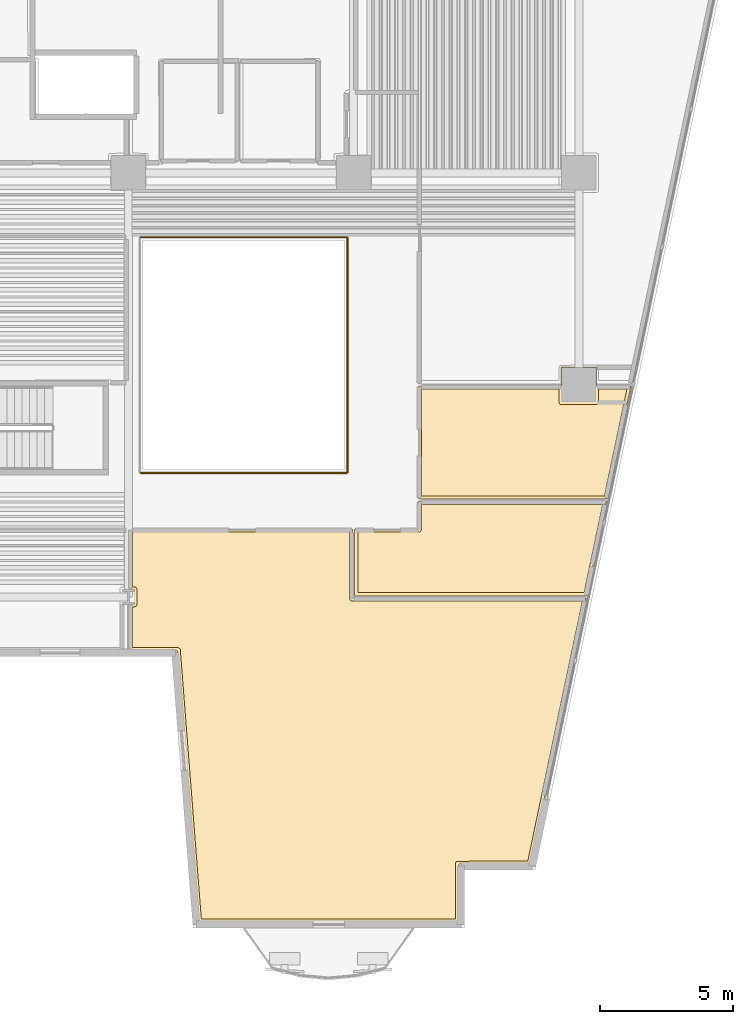
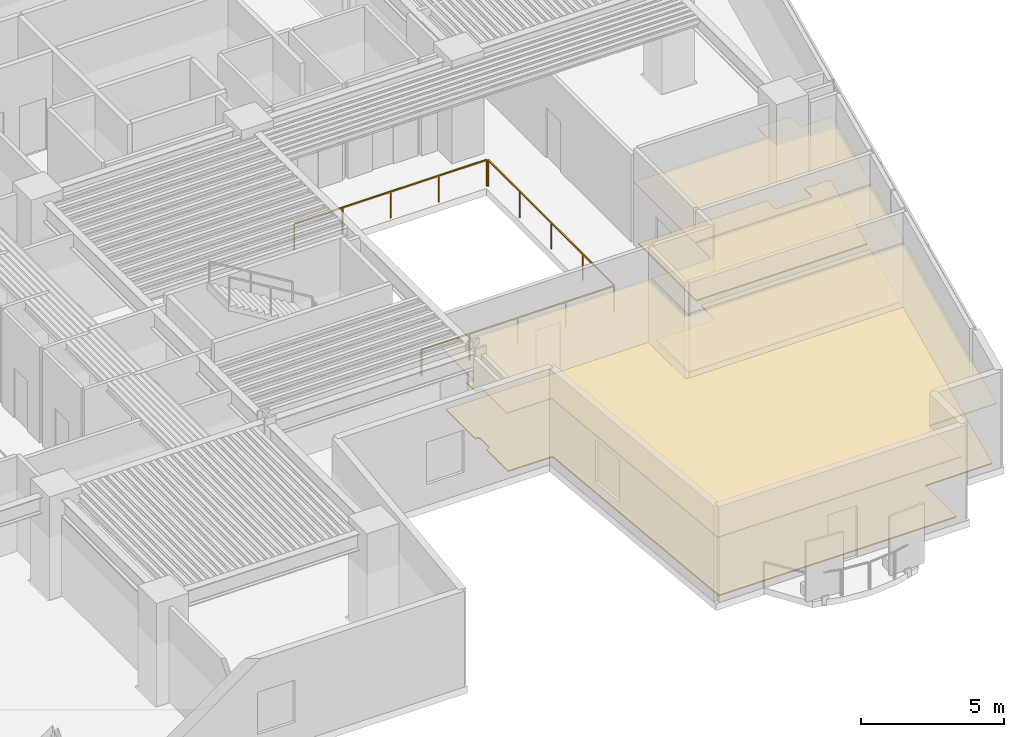
# One storey, part 10 of 12: 6 coverings, 3 railings.
"""IFC4 building model written with IfcOpenShell, lengths in metres."""

from ifc_helpers import new_model, si_unit, direction, frame, origin, origin_2d, place, context, subcontext, project, spatial, polyline, rectangle, outline, extrude, material, layer, layer_set, type_object, element, save


model = new_model("IFC4")

# Units and contexts
model_context = context("Model", 3, precision=1e-05, world=origin(), true_north=direction((0.0, 1.0)))
body_context = subcontext(model_context, "Body", "Model", "MODEL_VIEW")
ifc_project = project(units=[si_unit("LENGTHUNIT", "METRE"), si_unit("AREAUNIT", "SQUARE_METRE"), si_unit("VOLUMEUNIT", "CUBIC_METRE"), si_unit("PLANEANGLEUNIT", "RADIAN"), si_unit("MASSUNIT", "GRAM", prefix="KILO")], contexts=[model_context])

# Site, building, storey
site_placement = place(None, origin())
site = spatial("IfcSite", under=ifc_project, at=site_placement, CompositionType="ELEMENT")
building_placement = place(site_placement, origin())
building = spatial("IfcBuilding", under=site, at=building_placement, Name="Caeloran Harvest Quay", CompositionType="ELEMENT")
storey_placement = place(building_placement, frame((0.0, 0.0, 31.39990234375)))
storey = spatial("IfcBuildingStorey", under=building, at=storey_placement, Name="L07", CompositionType="ELEMENT", Elevation=31.39990234375)

# Coverings
ifc_material_1 = material(Name="Perforated Mineral-Fibre Acoustic Ceiling Tile", Category="ceiling")
ifc_layer_1 = layer(ifc_material_1, 0.0400390625, Name="Perforated Mineral-Fibre Acoustic Ceiling Tile")
ifc_layer_set_1 = layer_set([ifc_layer_1], Name="Perforated Mineral-Fibre Acoustic Ceiling Tile")
covering_type_1 = type_object("IfcCoveringType", Name="COV-CEILING-ACOUSTIC", PredefinedType="CEILING", material=ifc_layer_set_1)
covering_1_placement = place(storey_placement, frame((0.0, 0.0, 2.60009765625)))
element("IfcCovering", 1, at=covering_1_placement, inside=storey, type_object=covering_type_1, Name="Leafy-Greens Hydroponic Growing Hall Acoustic Ceiling", PredefinedType="CEILING", context=body_context, shape_type="SweptSolid", body=[
    extrude(outline(polyline([(34.0400390625, 14.695556640625), (33.7529296875, 14.695556640625), (33.7529296875, 15.304443359375), (34.0400390625, 15.304443359375), (34.0400390625, 17.56005859375), (42.4599609375, 17.56005859375), (42.4599609375, 14.9599609375), (51.27978515625, 14.9599609375), (49.170654296875, 4.919921875), (46.467041015625, 4.919921875), (46.467041015625, 2.719970703125), (36.64404296875, 2.719970703125), (35.843994140625, 12.969970703125), (34.0400390625, 12.969970703125), (34.0400390625, 14.695556640625)])), origin(), (0.0, 0.0, 1.0), 0.0400390625),
])
covering_2_placement = place(storey_placement, frame((0.0, 0.0, 2.60009765625)))
element("IfcCovering", 2, at=covering_2_placement, inside=storey, type_object=covering_type_1, Name="Nutrient QA Laboratory Acoustic Ceiling", PredefinedType="CEILING", context=body_context, shape_type="SweptSolid", body=[
    extrude(outline(polyline([(44.93994140625, 17.56005859375), (44.93994140625, 18.610107421875), (52.04638671875, 18.610107421875), (51.29638671875, 15.0400390625), (42.5400390625, 15.0400390625), (42.5400390625, 17.56005859375), (44.93994140625, 17.56005859375)])), origin(), (0.0, 0.0, 1.0), 0.0400390625),
])
covering_3_placement = place(storey_placement, frame((0.0, 0.0, 2.60009765625)))
element("IfcCovering", 3, at=covering_3_placement, inside=storey, type_object=covering_type_1, Name="Harvest Cold Buffer Laboratory Acoustic Ceiling", PredefinedType="CEILING", context=body_context, shape_type="SweptSolid", body=[
    extrude(outline(polyline([(44.93994140625, 22.9599609375), (50.330078125, 22.9599609375), (50.330078125, 23.669921875), (51.669921875, 23.669921875), (51.669921875, 22.9599609375), (52.960205078125, 22.9599609375), (52.063232421875, 18.68994140625), (44.93994140625, 18.68994140625), (44.93994140625, 22.9599609375)])), origin(), (0.0, 0.0, 1.0), 0.0400390625),
])
ifc_material_2 = material(Name="Calcium-Sulphate Raised Access Floor and Terrazzo Finish", Category="flooring")
ifc_layer_2 = layer(ifc_material_2, 0.050048828125, Name="Calcium-Sulphate Raised Access Floor and Terrazzo Finish")
ifc_layer_set_2 = layer_set([ifc_layer_2], Name="Calcium-Sulphate Raised Access Floor and Terrazzo Finish")
covering_type_2 = type_object("IfcCoveringType", Name="COV-FLOOR-RAISED", PredefinedType="FLOORING", material=ifc_layer_set_2)
covering_4_placement = place(storey_placement, origin())
element("IfcCovering", 4, at=covering_4_placement, inside=storey, type_object=covering_type_2, Name="Leafy-Greens Hydroponic Growing Hall Raised Finish Flooring", PredefinedType="FLOORING", context=body_context, shape_type="SweptSolid", body=[
    extrude(outline(polyline([(34.159912109375, 13.090087890625), (34.159912109375, 14.62060546875), (34.27978515625, 14.6298828125), (34.322021484375, 14.700439453125), (34.320556640625, 15.315185546875), (34.272705078125, 15.373291015625), (34.159912109375, 15.37939453125), (34.159912109375, 17.43994140625), (42.340087890625, 17.43994140625), (42.340087890625, 14.919921875), (42.404296875, 14.841552734375), (51.1318359375, 14.840087890625), (49.0732421875, 5.0400390625), (46.376220703125, 5.021728515625), (46.346923828125, 4.9599609375), (46.346923828125, 2.840087890625), (36.7548828125, 2.840087890625), (35.9580078125, 13.031982421875), (35.881103515625, 13.090087890625), (34.159912109375, 13.090087890625)])), origin(), (0.0, 0.0, 1.0), 0.050048828125),
])
covering_5_placement = place(storey_placement, origin())
element("IfcCovering", 5, at=covering_5_placement, inside=storey, type_object=covering_type_2, Name="Nutrient QA Laboratory Raised Finish Flooring", PredefinedType="FLOORING", context=body_context, shape_type="SweptSolid", body=[
    extrude(outline(polyline([(44.97802734375, 17.443603515625), (45.037353515625, 17.4833984375), (45.059814453125, 17.543212890625), (45.06005859375, 18.489990234375), (51.898681640625, 18.489990234375), (51.19921875, 15.159912109375), (42.659912109375, 15.159912109375), (42.659912109375, 17.43994140625), (44.97802734375, 17.443603515625)])), origin(), (0.0, 0.0, 1.0), 0.050048828125),
])
covering_6_placement = place(storey_placement, origin())
element("IfcCovering", 6, at=covering_6_placement, inside=storey, type_object=covering_type_2, Name="Harvest Cold Buffer Laboratory Raised Finish Flooring", PredefinedType="FLOORING", context=body_context, shape_type="SweptSolid", body=[
    extrude(outline(polyline([(45.06005859375, 18.81005859375), (45.06005859375, 22.840087890625), (50.2548828125, 22.840087890625), (50.25537109375, 22.3271484375), (50.2841796875, 22.273193359375), (50.3349609375, 22.2548828125), (51.6806640625, 22.256591796875), (51.74462890625, 22.3271484375), (51.7451171875, 22.840087890625), (52.8125, 22.840087890625), (51.9658203125, 18.81005859375), (45.06005859375, 18.81005859375)])), origin(), (0.0, 0.0, 1.0), 0.050048828125),
])

# Railings
ifc_material_3 = material(Name="Powder-Coated Steel Post and Laminated Glass Guardrail", Category="steel")
ifc_layer_3 = layer(ifc_material_3, 0.06005859375, Name="Powder-Coated Steel Post and Laminated Glass Guardrail")
ifc_layer_set_3 = layer_set([ifc_layer_3], Name="Powder-Coated Steel Post and Laminated Glass Guardrail")
railing_type = type_object("IfcRailingType", Name="GUARD-ATRIUM-1150", PredefinedType="GUARDRAIL", material=ifc_layer_set_3)
railing_1_placement = place(storey_placement, frame((34.4619140625, 19.679931640625, 0.0)))
element("IfcRailing", 7, at=railing_1_placement, inside=storey, type_object=railing_type, Name="L07 East Botanical Lightwell Guardrail Seg 1", PredefinedType="GUARDRAIL", context=body_context, shape_type="SweptSolid", body=[
    extrude(rectangle(XDim=0.048095703125, YDim=0.048095703125, at=origin_2d()), frame((0.0, 0.0, 1.1259765625), z_axis=(1.0, 0.0, 0.0), x_axis=(0.0, 1.0, 0.0)), (0.0, 0.0, 1.0), 7.776123046875),
    extrude(rectangle(XDim=0.0419921875, YDim=0.0419921875, at=origin_2d()), origin(), (0.0, 0.0, 1.0), 1.101806640625),
    extrude(rectangle(XDim=0.0419921875, YDim=0.0419921875, at=origin_2d()), frame((1.944091796875, 0.0, 0.0)), (0.0, 0.0, 1.0), 1.101806640625),
    extrude(rectangle(XDim=0.0419921875, YDim=0.0419921875, at=origin_2d()), frame((3.88818359375, 0.0, 0.0)), (0.0, 0.0, 1.0), 1.101806640625),
    extrude(rectangle(XDim=0.0419921875, YDim=0.0419921875, at=origin_2d()), frame((5.83203125, 0.0, 0.0)), (0.0, 0.0, 1.0), 1.101806640625),
    extrude(rectangle(XDim=0.0419921875, YDim=0.0419921875, at=origin_2d()), frame((7.776123046875, 0.0, 0.0)), (0.0, 0.0, 1.0), 1.101806640625),
])
railing_2_placement = place(storey_placement, frame((42.27001953125, 19.7119140625, 0.0)))
element("IfcRailing", 8, at=railing_2_placement, inside=storey, type_object=railing_type, Name="L07 East Botanical Lightwell Guardrail Seg 2", PredefinedType="GUARDRAIL", context=body_context, shape_type="SweptSolid", body=[
    extrude(rectangle(XDim=0.048095703125, YDim=0.048095703125, at=origin_2d()), frame((0.0, 0.0, 1.1259765625), z_axis=(0.0, 1.0, 0.0), x_axis=(-1.0, 0.0, 0.0)), (0.0, 0.0, 1.0), 8.826171875),
    extrude(rectangle(XDim=0.0419921875, YDim=0.0419921875, at=origin_2d()), origin(), (0.0, 0.0, 1.0), 1.101806640625),
    extrude(rectangle(XDim=0.0419921875, YDim=0.0419921875, at=origin_2d()), frame((0.0, 2.20654296875, 0.0)), (0.0, 0.0, 1.0), 1.101806640625),
    extrude(rectangle(XDim=0.0419921875, YDim=0.0419921875, at=origin_2d()), frame((0.0, 4.4130859375, 0.0)), (0.0, 0.0, 1.0), 1.101806640625),
    extrude(rectangle(XDim=0.0419921875, YDim=0.0419921875, at=origin_2d()), frame((0.0, 6.61962890625, 0.0)), (0.0, 0.0, 1.0), 1.101806640625),
    extrude(rectangle(XDim=0.0419921875, YDim=0.0419921875, at=origin_2d()), frame((0.0, 8.826171875, 0.0)), (0.0, 0.0, 1.0), 1.101806640625),
])
railing_3_placement = place(storey_placement, frame((42.238037109375, 28.570068359375, 0.0)))
element("IfcRailing", 9, at=railing_3_placement, inside=storey, type_object=railing_type, Name="L07 East Botanical Lightwell Guardrail Seg 3", PredefinedType="GUARDRAIL", context=body_context, shape_type="SweptSolid", body=[
    extrude(rectangle(XDim=0.048095703125, YDim=0.048095703125, at=origin_2d()), frame((0.0, 0.0, 1.1259765625), z_axis=(-1.0, 0.0, 0.0), x_axis=(0.0, -1.0, 0.0)), (0.0, 0.0, 1.0), 7.776123046875),
    extrude(rectangle(XDim=0.0419921875, YDim=0.0419921875, at=origin_2d()), origin(), (0.0, 0.0, 1.0), 1.101806640625),
    extrude(rectangle(XDim=0.0419921875, YDim=0.0419921875, at=origin_2d()), frame((-1.944091796875, 0.0, 0.0)), (0.0, 0.0, 1.0), 1.101806640625),
    extrude(rectangle(XDim=0.0419921875, YDim=0.0419921875, at=origin_2d()), frame((-3.88818359375, 0.0, 0.0)), (0.0, 0.0, 1.0), 1.101806640625),
    extrude(rectangle(XDim=0.0419921875, YDim=0.0419921875, at=origin_2d()), frame((-5.83203125, 0.0, 0.0)), (0.0, 0.0, 1.0), 1.101806640625),
    extrude(rectangle(XDim=0.0419921875, YDim=0.0419921875, at=origin_2d()), frame((-7.776123046875, 0.0, 0.0)), (0.0, 0.0, 1.0), 1.101806640625),
])

save(model, "model.ifc")
